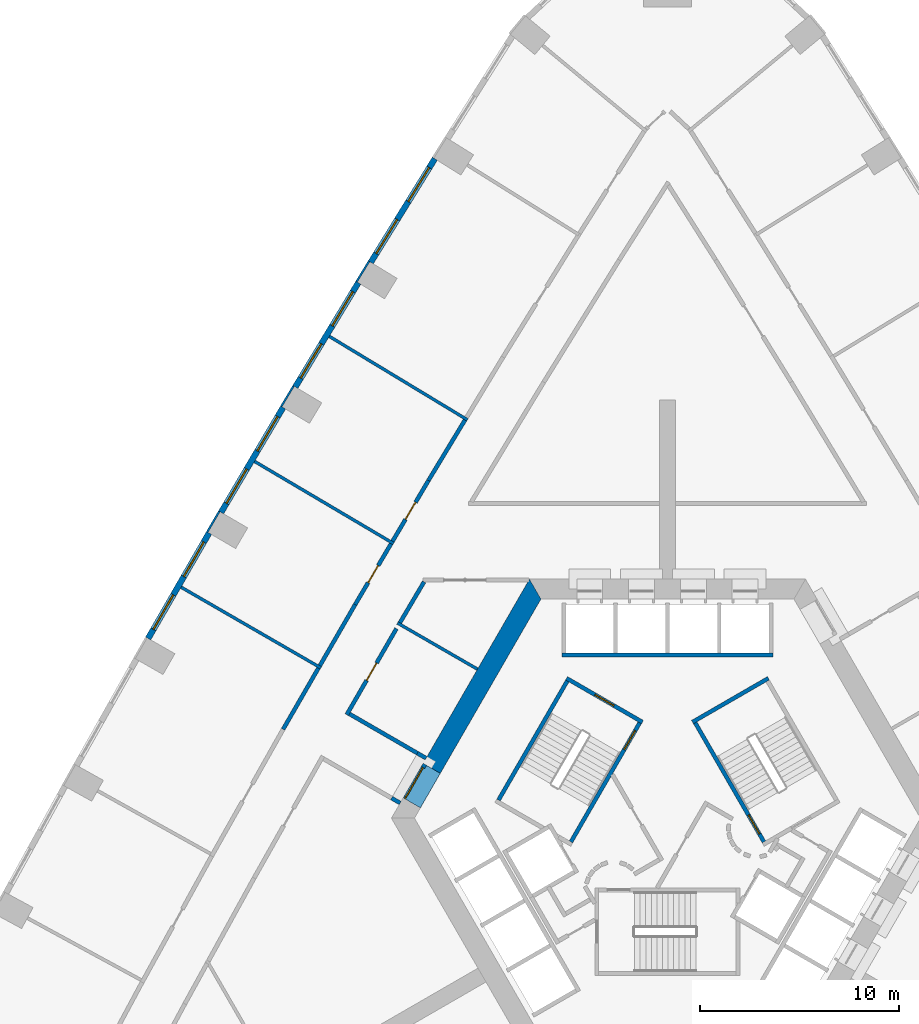
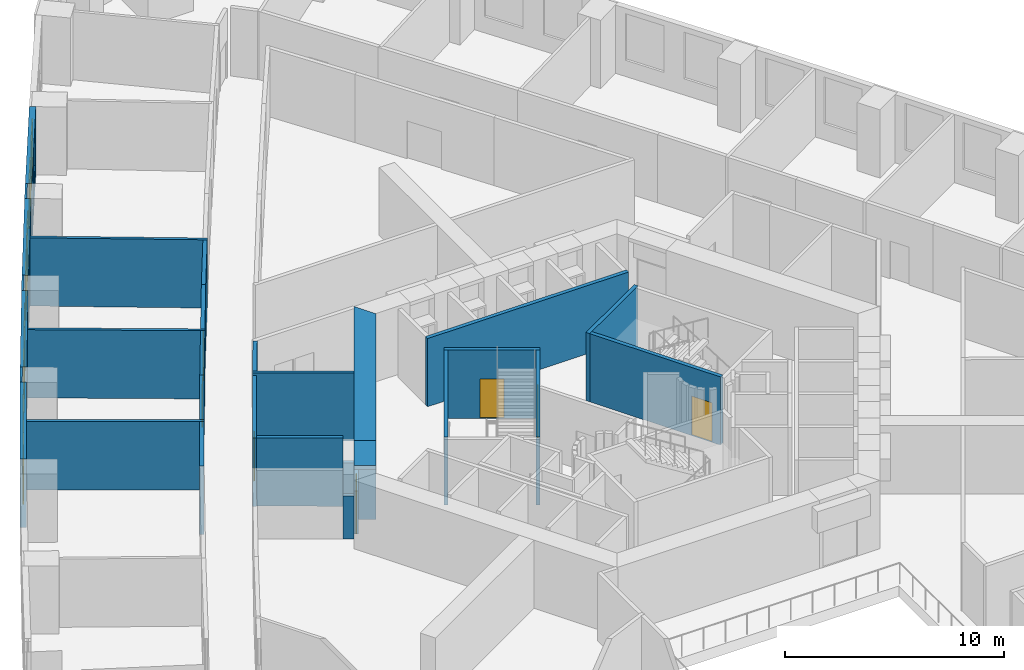
# One storey, part 8 of 15: 30 walls, 8 windows, 7 doors, 15 openings.
"""IFC4 building model written with IfcOpenShell, lengths in metres."""

from ifc_helpers import new_model, si_unit, direction, frame, frame_2d, origin, place, context, subcontext, project, spatial, polyline, rectangle, outline, extrude, material, layer, layer_set, type_object, element, fill, save


model = new_model("IFC4")

# Units and contexts
model_context = context("Model", 3, precision=1e-05, world=origin(), true_north=direction((0.0, 1.0)))
body_context = subcontext(model_context, "Body", "Model", "MODEL_VIEW")
ifc_project = project(units=[si_unit("LENGTHUNIT", "METRE"), si_unit("AREAUNIT", "SQUARE_METRE"), si_unit("VOLUMEUNIT", "CUBIC_METRE"), si_unit("PLANEANGLEUNIT", "RADIAN"), si_unit("MASSUNIT", "GRAM", prefix="KILO")], contexts=[model_context])

# Site, building, storey
site_placement = place(None, origin())
site = spatial("IfcSite", under=ifc_project, at=site_placement, CompositionType="ELEMENT")
building_placement = place(site_placement, origin())
building = spatial("IfcBuilding", under=site, at=building_placement, Name="Entoto Arch Interchange Tower", CompositionType="ELEMENT")
storey_placement = place(building_placement, frame((0.0, 0.0, 35.0)))
storey = spatial("IfcBuildingStorey", under=building, at=storey_placement, Name="L06", CompositionType="ELEMENT", Elevation=35.0)

# Wall, opening, door
ifc_material_1 = material(Name="Reinforced concrete C40/50", Category="concrete")
ifc_layer_1 = layer(ifc_material_1, 0.199951171875)
ifc_layer_set_1 = layer_set([ifc_layer_1], Name="Reinforced concrete C40/50")
wall_type_1 = type_object("IfcWallType", Name="CORE GAP INFILL WALL", PredefinedType="PARTITIONING", material=ifc_layer_set_1)
wall_1_placement = place(storey_placement, frame((-12.179931640625, 5.201904296875, 0.0), z_axis=(0.0, 0.0, 1.0), x_axis=(-0.50002537861, -0.866010750942, 0.0)))
wall_1 = element("IfcWall", 1, at=wall_1_placement, inside=storey, type_object=wall_type_1, Name="wall:L06:gap3", PredefinedType="PARTITIONING", context=body_context, shape_type="SweptSolid", body=[
    extrude(rectangle(XDim=2.0, YDim=0.199951171875, at=frame_2d((1.0, 0.0))), origin(), (0.0, 0.0, 1.0), 2.39990234375),
])
opening_1_placement = place(wall_1_placement, frame((0.18994140625, 0.0, 0.0)))
opening_1 = element("IfcOpeningElement", 2, at=opening_1_placement, cuts=wall_1, Name="Opening L06-D93", PredefinedType="OPENING", context=body_context, shape_type="SweptSolid", body=[
    extrude(rectangle(XDim=1.800048828125, YDim=2.10009765625, at=frame_2d((0.89990234375, 1.050048828125))), frame((0.0, 0.10986328125, 0.0), z_axis=(0.0, -1.0, 0.0), x_axis=(1.0, 0.0, 0.0)), (0.0, 0.0, 1.0), 0.219970703125),
])
ifc_material_2 = material(Name="Fire-rated Steel S235 door and frame", Category="steel")
door_type_1 = type_object("IfcDoorType", Name="DOOR FD-18 1800x2100", OperationType="DOUBLE_DOOR_SINGLE_SWING", PredefinedType="DOOR", material=ifc_material_2)
door_1_placement = place(opening_1_placement, origin())
door_1 = element("IfcDoor", 3, at=door_1_placement, inside=storey, type_object=door_type_1, Name="door:L06:gap3", OperationType="DOUBLE_DOOR_SINGLE_SWING", OverallHeight=2.10009765625, OverallWidth=1.800048828125, PredefinedType="DOOR", context=body_context, shape_type="SweptSolid", body=[
    extrude(rectangle(XDim=1.800048828125, YDim=2.10009765625, at=frame_2d((0.89990234375, 1.050048828125))), frame((0.0, 0.02490234375, 0.0), z_axis=(0.0, -1.0, 0.0), x_axis=(1.0, 0.0, 0.0)), (0.0, 0.0, 1.0), 0.050048828125),
])
fill(opening_1, door_1)

# Walls
ifc_material_3 = material(Name="Concrete C60/75", Category="concrete")
ifc_layer_2 = layer(ifc_material_3, 1.0)
ifc_layer_set_2 = layer_set([ifc_layer_2], Name="Concrete C60/75")
wall_type_2 = type_object("IfcWallType", Name="Core wall 1000 C60/75", PredefinedType="SHEAR", material=ifc_layer_set_2)
wall_2_placement = place(storey_placement, frame((0.0, 0.0, -0.60009765625)))
element("IfcWall", 4, at=wall_2_placement, inside=storey, type_object=wall_type_2, Name="Core wall NW L06", PredefinedType="SHEAR", context=body_context, shape_type="SweptSolid", body=[
    extrude(outline(polyline([(-12.26708984375, 5.251953125), (-11.402099609375, 4.751953125), (-6.35107421875, 13.5), (-6.927978515625, 14.5), (-12.26708984375, 5.251953125)])), origin(), (0.0, 0.0, 1.0), 4.400146484375),
])
wall_3_placement = place(storey_placement, frame((0.0, 0.0, 3.60009765625)))
element("IfcWall", 5, at=wall_3_placement, inside=storey, type_object=wall_type_2, Name="Core wall lintel NW L06", PredefinedType="SHEAR", context=body_context, shape_type="SweptSolid", body=[
    extrude(outline(polyline([(-13.26708984375, 3.52001953125), (-12.402099609375, 3.02001953125), (-11.402099609375, 4.751953125), (-12.26708984375, 5.251953125), (-13.26708984375, 3.52001953125)])), origin(), (0.0, 0.0, 1.0), 0.199951171875),
])
ifc_material_4 = material(Name="Concrete C40/50", Category="concrete")
ifc_layer_3 = layer(ifc_material_4, 0.199951171875)
ifc_layer_set_3 = layer_set([ifc_layer_3], Name="Concrete C40/50")
wall_type_3 = type_object("IfcWallType", Name="LIFT SHAFT WALL 200", PredefinedType="STANDARD", material=ifc_layer_set_3)
wall_4_placement = place(storey_placement, frame((5.300048828125, 10.699951171875, 0.0), z_axis=(0.0, 0.0, 1.0), x_axis=(-1.0, 0.0, 0.0)))
element("IfcWall", 6, at=wall_4_placement, inside=storey, type_object=wall_type_3, Name="Shaft wall N3 front", PredefinedType="STANDARD", context=body_context, shape_type="SweptSolid", body=[
    extrude(rectangle(XDim=10.60009765625, YDim=0.199951171875, at=frame_2d((5.300048828125, 0.0))), origin(), (0.0, 0.0, 1.0), 3.800048828125),
])
ifc_material_5 = material(Name="Gypsum board partition on steel studs", Category="steel")
ifc_layer_4 = layer(ifc_material_5, 0.14990234375)
ifc_layer_set_4 = layer_set([ifc_layer_4], Name="Gypsum board partition on steel studs")
wall_type_4 = type_object("IfcWallType", Name="PARTITION 150", PredefinedType="PARTITIONING", material=ifc_layer_set_4)
wall_5_placement = place(storey_placement, frame((-13.553955078125, 12.300048828125, 0.0), z_axis=(0.0, 0.0, 1.0), x_axis=(0.866028685375, -0.499994316075, 0.0)))
element("IfcWall", 7, at=wall_5_placement, inside=storey, type_object=wall_type_4, Name="wall:L06:p084", PredefinedType="PARTITIONING", context=body_context, shape_type="SweptSolid", body=[
    extrude(rectangle(XDim=4.63818359375, YDim=0.14990234375, at=frame_2d((2.319091796875, 0.0))), origin(), (0.0, 0.0, 1.0), 3.800048828125),
])
wall_6_placement = place(storey_placement, frame((-10.0419921875, 22.4970703125, 0.0), z_axis=(0.0, 0.0, 1.0), x_axis=(-0.855818252, 0.517276637346, 0.0)))
element("IfcWall", 8, at=wall_6_placement, inside=storey, type_object=wall_type_4, Name="wall:L06:p138", PredefinedType="PARTITIONING", context=body_context, shape_type="SweptSolid", body=[
    extrude(rectangle(XDim=8.10009765625, YDim=0.14990234375, at=frame_2d((4.050048828125, 0.0))), origin(), (0.0, 0.0, 1.0), 3.800048828125),
])
wall_7_placement = place(storey_placement, frame((-13.751953125, 16.2890625, 0.0), z_axis=(0.0, 0.0, 1.0), x_axis=(-0.86093852802, 0.508709004216, 0.0)))
element("IfcWall", 9, at=wall_7_placement, inside=storey, type_object=wall_type_4, Name="wall:L06:p139", PredefinedType="PARTITIONING", context=body_context, shape_type="SweptSolid", body=[
    extrude(rectangle(XDim=8.1005859375, YDim=0.14990234375, at=frame_2d((4.05029296875, 0.0))), origin(), (0.0, 0.0, 1.0), 3.800048828125),
])
wall_8_placement = place(storey_placement, frame((-17.39892578125, 10.044921875, 0.0), z_axis=(0.0, 0.0, 1.0), x_axis=(-0.865980803489, 0.500077242023, 0.0)))
element("IfcWall", 10, at=wall_8_placement, inside=storey, type_object=wall_type_4, Name="wall:L06:p140", PredefinedType="PARTITIONING", context=body_context, shape_type="SweptSolid", body=[
    extrude(rectangle(XDim=8.100830078125, YDim=0.14990234375, at=frame_2d((4.05029296875, 0.0))), origin(), (0.0, 0.0, 1.0), 3.800048828125),
])

# Wall, opening, door
ifc_layer_5 = layer(ifc_material_5, 0.199951171875)
ifc_layer_set_5 = layer_set([ifc_layer_5], Name="Gypsum board partition on steel studs")
wall_type_5 = type_object("IfcWallType", Name="PARTITION 200", PredefinedType="PARTITIONING", material=ifc_layer_set_5)
wall_9_placement = place(storey_placement, frame((-13.60595703125, 12.01611328125, 0.0), z_axis=(0.0, 0.0, 1.0), x_axis=(-0.499992180995, -0.866029918042, 0.0)))
wall_9 = element("IfcWall", 11, at=wall_9_placement, inside=storey, type_object=wall_type_5, Name="wall:L06:p001", PredefinedType="PARTITIONING", context=body_context, shape_type="SweptSolid", body=[
    extrude(rectangle(XDim=4.98828125, YDim=0.199951171875, at=frame_2d((2.494140625, 0.0))), origin(), (0.0, 0.0, 1.0), 3.800048828125),
])
opening_2_placement = place(wall_9_placement, frame((1.993896484375, 0.0, 0.0)))
opening_2 = element("IfcOpeningElement", 12, at=opening_2_placement, cuts=wall_9, Name="Opening L06-D34", PredefinedType="OPENING", context=body_context, shape_type="SweptSolid", body=[
    extrude(rectangle(XDim=1.0, YDim=2.10009765625, at=frame_2d((0.5, 1.050048828125))), frame((0.0, 0.10986328125, 0.0), z_axis=(0.0, -1.0, 0.0), x_axis=(1.0, 0.0, 0.0)), (0.0, 0.0, 1.0), 0.219970703125),
])
ifc_material_6 = material(Name="Timber door leaf in Steel S235 frame", Category="steel")
door_type_2 = type_object("IfcDoorType", Name="DOOR DS-10 1000x2100", OperationType="SINGLE_SWING_LEFT", PredefinedType="DOOR", material=ifc_material_6)
door_2_placement = place(opening_2_placement, origin())
door_2 = element("IfcDoor", 13, at=door_2_placement, inside=storey, type_object=door_type_2, Name="door:L06:34", OperationType="SINGLE_SWING_LEFT", OverallHeight=2.10009765625, OverallWidth=1.0, PredefinedType="DOOR", context=body_context, shape_type="SweptSolid", body=[
    extrude(rectangle(XDim=1.0, YDim=2.10009765625, at=frame_2d((0.5, 1.050048828125))), frame((0.0, 0.02490234375, 0.0), z_axis=(0.0, -1.0, 0.0), x_axis=(1.0, 0.0, 0.0)), (0.0, 0.0, 1.0), 0.050048828125),
])
fill(opening_2, door_2)

# Walls
wall_10_placement = place(storey_placement, frame((-15.962890625, 7.73291015625, 0.0), z_axis=(0.0, 0.0, 1.0), x_axis=(0.865965832374, -0.500103166518, 0.0)))
element("IfcWall", 14, at=wall_10_placement, inside=storey, type_object=wall_type_5, Name="wall:L06:p002", PredefinedType="PARTITIONING", context=body_context, shape_type="SweptSolid", body=[
    extrude(rectangle(XDim=3.941162109375, YDim=0.199951171875, at=frame_2d((1.970703125, 0.0))), origin(), (0.0, 0.0, 1.0), 3.800048828125),
])
wall_11_placement = place(storey_placement, frame((-12.218017578125, 14.364013671875, 0.0), z_axis=(0.0, 0.0, 1.0), x_axis=(-0.508767325294, -0.860904064756, 0.0)))
element("IfcWall", 15, at=wall_11_placement, inside=storey, type_object=wall_type_5, Name="wall:L06:p003", PredefinedType="PARTITIONING", context=body_context, shape_type="SweptSolid", body=[
    extrude(rectangle(XDim=2.380126953125, YDim=0.199951171875, at=frame_2d((1.18994140625, 0.0))), origin(), (0.0, 0.0, 1.0), 3.800048828125),
])

# Wall, opening, door
wall_12_placement = place(storey_placement, frame((-13.800048828125, 16.404052734375, 0.0), z_axis=(0.0, 0.0, 1.0), x_axis=(0.508666621784, 0.860963569428, 0.0)))
wall_12 = element("IfcWall", 16, at=wall_12_placement, inside=storey, type_object=wall_type_5, Name="wall:L06:p058", PredefinedType="PARTITIONING", context=body_context, shape_type="SweptSolid", body=[
    extrude(rectangle(XDim=3.54248046875, YDim=0.199951171875, at=frame_2d((1.771240234375, 0.0))), origin(), (0.0, 0.0, 1.0), 3.800048828125),
])
opening_3_placement = place(wall_12_placement, frame((1.27099609375, 0.0, 0.0)))
opening_3 = element("IfcOpeningElement", 17, at=opening_3_placement, cuts=wall_12, Name="Opening L06-D14", PredefinedType="OPENING", context=body_context, shape_type="SweptSolid", body=[
    extrude(rectangle(XDim=1.0, YDim=2.10009765625, at=frame_2d((0.5, 1.050048828125))), frame((0.0, 0.10986328125, 0.0), z_axis=(0.0, -1.0, 0.0), x_axis=(1.0, 0.0, 0.0)), (0.0, 0.0, 1.0), 0.219970703125),
])
door_3_placement = place(opening_3_placement, origin())
door_3 = element("IfcDoor", 18, at=door_3_placement, inside=storey, type_object=door_type_2, Name="door:L06:14", OperationType="SINGLE_SWING_LEFT", OverallHeight=2.10009765625, OverallWidth=1.0, PredefinedType="DOOR", context=body_context, shape_type="SweptSolid", body=[
    extrude(rectangle(XDim=1.0, YDim=2.10009765625, at=frame_2d((0.5, 1.050048828125))), frame((0.0, 0.02490234375, 0.0), z_axis=(0.0, -1.0, 0.0), x_axis=(1.0, 0.0, 0.0)), (0.0, 0.0, 1.0), 0.050048828125),
])
fill(opening_3, door_3)

# Walls
wall_13_placement = place(storey_placement, frame((-11.998046875, 19.4541015625, 0.0), z_axis=(0.0, 0.0, 1.0), x_axis=(0.51707881094, 0.85593779171, 0.0)))
element("IfcWall", 19, at=wall_13_placement, inside=storey, type_object=wall_type_5, Name="wall:L06:p059", PredefinedType="PARTITIONING", context=body_context, shape_type="SweptSolid", body=[
    extrude(rectangle(XDim=3.541259765625, YDim=0.199951171875, at=frame_2d((1.7705078125, 0.0))), origin(), (0.0, 0.0, 1.0), 3.800048828125),
])
wall_14_placement = place(storey_placement, frame((-17.447998046875, 10.159912109375, 0.0), z_axis=(0.0, 0.0, 1.0), x_axis=(0.499951278228, 0.866053531485, 0.0)))
element("IfcWall", 20, at=wall_14_placement, inside=storey, type_object=wall_type_5, Name="wall:L06:p060", PredefinedType="PARTITIONING", context=body_context, shape_type="SweptSolid", body=[
    extrude(rectangle(XDim=3.540283203125, YDim=0.199951171875, at=frame_2d((1.77001953125, 0.0))), origin(), (0.0, 0.0, 1.0), 3.800048828125),
])

# Wall, opening, door
wall_15_placement = place(storey_placement, frame((-15.677978515625, 13.22607421875, 0.0), z_axis=(0.0, 0.0, 1.0), x_axis=(0.508613166028, 0.860995149431, 0.0)))
wall_15 = element("IfcWall", 21, at=wall_15_placement, inside=storey, type_object=wall_type_5, Name="wall:L06:p061", PredefinedType="PARTITIONING", context=body_context, shape_type="SweptSolid", body=[
    extrude(rectangle(XDim=3.541015625, YDim=0.199951171875, at=frame_2d((1.7705078125, 0.0))), origin(), (0.0, 0.0, 1.0), 3.800048828125),
])
opening_4_placement = place(wall_15_placement, frame((1.27099609375, 0.0, 0.0)))
opening_4 = element("IfcOpeningElement", 22, at=opening_4_placement, cuts=wall_15, Name="Opening L06-D15", PredefinedType="OPENING", context=body_context, shape_type="SweptSolid", body=[
    extrude(rectangle(XDim=1.0, YDim=2.10009765625, at=frame_2d((0.5, 1.050048828125))), frame((0.0, 0.10986328125, 0.0), z_axis=(0.0, -1.0, 0.0), x_axis=(1.0, 0.0, 0.0)), (0.0, 0.0, 1.0), 0.219970703125),
])
door_4_placement = place(opening_4_placement, origin())
door_4 = element("IfcDoor", 23, at=door_4_placement, inside=storey, type_object=door_type_2, Name="door:L06:15", OperationType="SINGLE_SWING_LEFT", OverallHeight=2.10009765625, OverallWidth=1.0, PredefinedType="DOOR", context=body_context, shape_type="SweptSolid", body=[
    extrude(rectangle(XDim=1.0, YDim=2.10009765625, at=frame_2d((0.5, 1.050048828125))), frame((0.0, 0.02490234375, 0.0), z_axis=(0.0, -1.0, 0.0), x_axis=(1.0, 0.0, 0.0)), (0.0, 0.0, 1.0), 0.050048828125),
])
fill(opening_4, door_4)

# Walls
wall_16_placement = place(storey_placement, frame((-19.2939453125, 6.964111328125, 0.0), z_axis=(0.0, 0.0, 1.0), x_axis=(0.499861717316, 0.86610522661, 0.0)))
element("IfcWall", 24, at=wall_16_placement, inside=storey, type_object=wall_type_5, Name="wall:L06:p063", PredefinedType="PARTITIONING", context=body_context, shape_type="SweptSolid", body=[
    extrude(rectangle(XDim=3.541015625, YDim=0.199951171875, at=frame_2d((1.7705078125, 0.0))), origin(), (0.0, 0.0, 1.0), 3.800048828125),
])
for number, where, z_axis, x_axis, name in (
    (25, (-12.550048828125, 5.761962890625, 0.0), (0.0, 0.0, 1.0), (0.866071776036, -0.499919672301, 0.0), "wall:L06:p002"),
    (26, (-13.85009765625, 3.510009765625, 0.0), (0.0, 0.0, 1.0), (0.866071776036, -0.499919672301, 0.0), "wall:L06:p025"),
):
    element("IfcWall", number, at=place(storey_placement, frame(where, z_axis=z_axis, x_axis=x_axis)), inside=storey, type_object=wall_type_5, Name=name, PredefinedType="PARTITIONING", context=body_context, shape_type="SweptSolid", body=[
        extrude(rectangle(XDim=0.5, YDim=0.199951171875, at=frame_2d((0.25, 0.0))), origin(), (0.0, 0.0, 1.0), 2.39990234375),
    ])
ifc_layer_6 = layer(ifc_material_4, 0.199951171875)
ifc_layer_set_6 = layer_set([ifc_layer_6], Name="Concrete C40/50")
wall_type_6 = type_object("IfcWallType", Name="STAIR ENCLOSURE WALL 200", PredefinedType="STANDARD", material=ifc_layer_set_6)
wall_17_placement = place(storey_placement, frame((1.256103515625, 7.323974609375, 0.0), z_axis=(0.0, 0.0, 1.0), x_axis=(0.866046073146, 0.499964197906, 0.0)))
element("IfcWall", 27, at=wall_17_placement, inside=storey, type_object=wall_type_6, Name="Stair wall ST-NE far", PredefinedType="STANDARD", context=body_context, shape_type="SweptSolid", body=[
    extrude(rectangle(XDim=4.400146484375, YDim=0.199951171875, at=frame_2d((2.2001953125, 0.0))), origin(), (0.0, 0.0, 1.0), 3.800048828125),
])

# Wall, opening, door
wall_18_placement = place(storey_placement, frame((4.843017578125, 1.31201171875, 0.0), z_axis=(0.0, 0.0, 1.0), x_axis=(-0.499963383562, 0.866046543262, 0.0)))
wall_18 = element("IfcWall", 28, at=wall_18_placement, inside=storey, type_object=wall_type_6, Name="Stair wall ST-NE hall", PredefinedType="STANDARD", context=body_context, shape_type="SweptSolid", body=[
    extrude(rectangle(XDim=6.900390625, YDim=0.199951171875, at=frame_2d((3.4501953125, 0.0))), origin(), (0.0, 0.0, 1.0), 3.800048828125),
])
opening_5_placement = place(wall_18_placement, frame((0.449951171875, 0.0, 0.0)))
opening_5 = element("IfcOpeningElement", 29, at=opening_5_placement, cuts=wall_18, Name="Opening SD-ST-NE-L06", PredefinedType="OPENING", context=body_context, shape_type="SweptSolid", body=[
    extrude(rectangle(XDim=1.10009765625, YDim=2.199951171875, at=frame_2d((0.550048828125, 1.10009765625))), frame((0.0, 0.10986328125, 0.0), z_axis=(0.0, -1.0, 0.0), x_axis=(1.0, 0.0, 0.0)), (0.0, 0.0, 1.0), 0.219970703125),
])
ifc_material_7 = material(Name="Steel S235", Category="steel")
door_type_3 = type_object("IfcDoorType", Name="STAIR DOOR SD1 1100x2200", OperationType="SINGLE_SWING_LEFT", PredefinedType="DOOR", material=ifc_material_7)
door_5_placement = place(opening_5_placement, origin())
door_5 = element("IfcDoor", 30, at=door_5_placement, inside=storey, type_object=door_type_3, Name="Stair door ST-NE L06", OperationType="SINGLE_SWING_LEFT", OverallHeight=2.199951171875, OverallWidth=1.10009765625, PredefinedType="DOOR", context=body_context, shape_type="SweptSolid", body=[
    extrude(rectangle(XDim=1.10009765625, YDim=2.199951171875, at=frame_2d((0.550048828125, 1.10009765625))), frame((0.0, 0.02490234375, 0.0), z_axis=(0.0, -1.0, 0.0), x_axis=(1.0, 0.0, 0.0)), (0.0, 0.0, 1.0), 0.050048828125),
])
fill(opening_5, door_5)

wall_19_placement = place(storey_placement, frame((-1.256103515625, 7.323974609375, 0.0), z_axis=(0.0, 0.0, 1.0), x_axis=(-0.866046073146, 0.499964197906, 0.0)))
wall_19 = element("IfcWall", 31, at=wall_19_placement, inside=storey, type_object=wall_type_6, Name="Stair wall ST-NW near", PredefinedType="STANDARD", context=body_context, shape_type="SweptSolid", body=[
    extrude(rectangle(XDim=4.400146484375, YDim=0.199951171875, at=frame_2d((2.2001953125, 0.0))), origin(), (0.0, 0.0, 1.0), 3.800048828125),
])
opening_6_placement = place(wall_19_placement, frame((1.64990234375, 0.0, 0.0)))
opening_6 = element("IfcOpeningElement", 32, at=opening_6_placement, cuts=wall_19, Name="Opening SD-ST-NW-L06-E", PredefinedType="OPENING", context=body_context, shape_type="SweptSolid", body=[
    extrude(rectangle(XDim=1.10009765625, YDim=2.199951171875, at=frame_2d((0.550048828125, 1.10009765625))), frame((0.0, 0.10986328125, 0.0), z_axis=(0.0, -1.0, 0.0), x_axis=(1.0, 0.0, 0.0)), (0.0, 0.0, 1.0), 0.219970703125),
])
door_6_placement = place(opening_6_placement, origin())
door_6 = element("IfcDoor", 33, at=door_6_placement, inside=storey, type_object=door_type_3, Name="Stair door ST-NW L06 end", OperationType="SINGLE_SWING_LEFT", OverallHeight=2.199951171875, OverallWidth=1.10009765625, PredefinedType="DOOR", context=body_context, shape_type="SweptSolid", body=[
    extrude(rectangle(XDim=1.10009765625, YDim=2.199951171875, at=frame_2d((0.550048828125, 1.10009765625))), frame((0.0, 0.02490234375, 0.0), z_axis=(0.0, -1.0, 0.0), x_axis=(1.0, 0.0, 0.0)), (0.0, 0.0, 1.0), 0.050048828125),
])
fill(opening_6, door_6)

wall_20_placement = place(storey_placement, frame((-1.39306640625, 7.2880859375, 0.0), z_axis=(0.0, 0.0, 1.0), x_axis=(-0.499963383562, -0.866046543262, 0.0)))
wall_20 = element("IfcWall", 34, at=wall_20_placement, inside=storey, type_object=wall_type_6, Name="Stair wall ST-NW hall", PredefinedType="STANDARD", context=body_context, shape_type="SweptSolid", body=[
    extrude(rectangle(XDim=6.900390625, YDim=0.199951171875, at=frame_2d((3.4501953125, 0.0))), origin(), (0.0, 0.0, 1.0), 3.800048828125),
])
opening_7_placement = place(wall_20_placement, frame((0.449951171875, 0.0, 0.0)))
opening_7 = element("IfcOpeningElement", 35, at=opening_7_placement, cuts=wall_20, Name="Opening SD-ST-NW-L06", PredefinedType="OPENING", context=body_context, shape_type="SweptSolid", body=[
    extrude(rectangle(XDim=1.10009765625, YDim=2.199951171875, at=frame_2d((0.550048828125, 1.10009765625))), frame((0.0, 0.10986328125, 0.0), z_axis=(0.0, -1.0, 0.0), x_axis=(1.0, 0.0, 0.0)), (0.0, 0.0, 1.0), 0.219970703125),
])
door_7_placement = place(opening_7_placement, origin())
door_7 = element("IfcDoor", 36, at=door_7_placement, inside=storey, type_object=door_type_3, Name="Stair door ST-NW L06", OperationType="SINGLE_SWING_LEFT", OverallHeight=2.199951171875, OverallWidth=1.10009765625, PredefinedType="DOOR", context=body_context, shape_type="SweptSolid", body=[
    extrude(rectangle(XDim=1.10009765625, YDim=2.199951171875, at=frame_2d((0.550048828125, 1.10009765625))), frame((0.0, 0.02490234375, 0.0), z_axis=(0.0, -1.0, 0.0), x_axis=(1.0, 0.0, 0.0)), (0.0, 0.0, 1.0), 0.050048828125),
])
fill(opening_7, door_7)

# Wall
wall_21_placement = place(storey_placement, frame((-5.030029296875, 9.387939453125, 0.0), z_axis=(0.0, 0.0, 1.0), x_axis=(-0.499978703459, -0.866037698999, 0.0)))
element("IfcWall", 37, at=wall_21_placement, inside=storey, type_object=wall_type_6, Name="Stair wall ST-NW back", PredefinedType="STANDARD", context=body_context, shape_type="SweptSolid", body=[
    extrude(rectangle(XDim=6.900146484375, YDim=0.199951171875, at=frame_2d((3.4501953125, 0.0))), origin(), (0.0, 0.0, 1.0), 3.800048828125),
])

# Wall, openings, windows
ifc_material_8 = material(Name="Welded tuff (ignimbrite) cladding, warm buff", Category="masonry")
ifc_layer_7 = layer(ifc_material_8, 0.300048828125)
ifc_layer_set_7 = layer_set([ifc_layer_7], Name="Welded tuff (ignimbrite) cladding, warm buff")
wall_type_7 = type_object("IfcWallType", Name="STONE INFILL WALL 300", PredefinedType="STANDARD", material=ifc_layer_set_7)
wall_22_placement = place(storey_placement, frame((-11.679931640625, 35.60693359375, 0.0), z_axis=(0.0, 0.0, 1.0), x_axis=(-0.525791118496, -0.850613719447, 0.0)))
wall_22 = element("IfcWall", 38, at=wall_22_placement, inside=storey, type_object=wall_type_7, Name="Facade wall NW-02 L06", PredefinedType="STANDARD", context=body_context, shape_type="SweptSolid", body=[
    extrude(rectangle(XDim=6.11669921875, YDim=0.300048828125, at=frame_2d((3.058349609375, 0.0))), origin(), (0.0, 0.0, 1.0), 3.800048828125),
])
opening_8_placement = place(wall_22_placement, frame((0.529052734375, 0.0, 0.89990234375)))
opening_8 = element("IfcOpeningElement", 39, at=opening_8_placement, cuts=wall_22, Name="Opening WO-C", PredefinedType="OPENING", context=body_context, shape_type="SweptSolid", body=[
    extrude(rectangle(XDim=2.0, YDim=2.60009765625, at=frame_2d((1.0, 1.300048828125))), frame((0.0, 0.16015625, 0.0), z_axis=(0.0, -1.0, 0.0), x_axis=(1.0, 0.0, 0.0)), (0.0, 0.0, 1.0), 0.320068359375),
])
opening_9_placement = place(wall_22_placement, frame((3.587890625, 0.0, 0.89990234375)))
opening_9 = element("IfcOpeningElement", 40, at=opening_9_placement, cuts=wall_22, Name="Opening WO-C", PredefinedType="OPENING", context=body_context, shape_type="SweptSolid", body=[
    extrude(rectangle(XDim=2.0, YDim=2.60009765625, at=frame_2d((1.0, 1.300048828125))), frame((0.0, 0.16015625, 0.0), z_axis=(0.0, -1.0, 0.0), x_axis=(1.0, 0.0, 0.0)), (0.0, 0.0, 1.0), 0.320068359375),
])
ifc_material_9 = material(Name="Clear glass, low-e double glazed", Category="glass")
window_type = type_object("IfcWindowType", Name="WINDOW WO-C 2000x2600", PartitioningType="DOUBLE_PANEL_VERTICAL", PredefinedType="WINDOW", material=ifc_material_9)
window_1_placement = place(opening_8_placement, origin())
window_1 = element("IfcWindow", 41, at=window_1_placement, inside=storey, type_object=window_type, Name="Window WO-C NW-02 L06", OverallHeight=2.60009765625, OverallWidth=2.0, PartitioningType="SINGLE_PANEL", PredefinedType="WINDOW", context=body_context, shape_type="SweptSolid", body=[
    extrude(rectangle(XDim=2.0, YDim=2.60009765625, at=frame_2d((1.0, 1.300048828125))), frame((0.0, 0.030029296875, 0.0), z_axis=(0.0, -1.0, 0.0), x_axis=(1.0, 0.0, 0.0)), (0.0, 0.0, 1.0), 0.06005859375),
])
fill(opening_8, window_1)
window_2_placement = place(opening_9_placement, origin())
window_2 = element("IfcWindow", 42, at=window_2_placement, inside=storey, type_object=window_type, Name="Window WO-C NW-02 L06", OverallHeight=2.60009765625, OverallWidth=2.0, PartitioningType="SINGLE_PANEL", PredefinedType="WINDOW", context=body_context, shape_type="SweptSolid", body=[
    extrude(rectangle(XDim=2.0, YDim=2.60009765625, at=frame_2d((1.0, 1.300048828125))), frame((0.0, 0.030029296875, 0.0), z_axis=(0.0, -1.0, 0.0), x_axis=(1.0, 0.0, 0.0)), (0.0, 0.0, 1.0), 0.06005859375),
])
fill(opening_9, window_2)

wall_23_placement = place(storey_placement, frame((-15.52099609375, 29.382080078125, 0.0), z_axis=(0.0, 0.0, 1.0), x_axis=(-0.517211293816, -0.855857743757, 0.0)))
wall_23 = element("IfcWall", 43, at=wall_23_placement, inside=storey, type_object=wall_type_7, Name="Facade wall NW-03 L06", PredefinedType="STANDARD", context=body_context, shape_type="SweptSolid", body=[
    extrude(rectangle(XDim=6.11572265625, YDim=0.300048828125, at=frame_2d((3.057861328125, 0.0))), origin(), (0.0, 0.0, 1.0), 3.800048828125),
])
opening_10_placement = place(wall_23_placement, frame((0.529052734375, 0.0, 0.89990234375)))
opening_10 = element("IfcOpeningElement", 44, at=opening_10_placement, cuts=wall_23, Name="Opening WO-C", PredefinedType="OPENING", context=body_context, shape_type="SweptSolid", body=[
    extrude(rectangle(XDim=2.0, YDim=2.60009765625, at=frame_2d((1.0, 1.300048828125))), frame((0.0, 0.16015625, 0.0), z_axis=(0.0, -1.0, 0.0), x_axis=(1.0, 0.0, 0.0)), (0.0, 0.0, 1.0), 0.320068359375),
])
opening_11_placement = place(wall_23_placement, frame((3.5869140625, 0.0, 0.89990234375)))
opening_11 = element("IfcOpeningElement", 45, at=opening_11_placement, cuts=wall_23, Name="Opening WO-C", PredefinedType="OPENING", context=body_context, shape_type="SweptSolid", body=[
    extrude(rectangle(XDim=2.0, YDim=2.60009765625, at=frame_2d((1.0, 1.300048828125))), frame((0.0, 0.16015625, 0.0), z_axis=(0.0, -1.0, 0.0), x_axis=(1.0, 0.0, 0.0)), (0.0, 0.0, 1.0), 0.320068359375),
])
window_3_placement = place(opening_10_placement, origin())
window_3 = element("IfcWindow", 46, at=window_3_placement, inside=storey, type_object=window_type, Name="Window WO-C NW-03 L06", OverallHeight=2.60009765625, OverallWidth=2.0, PartitioningType="SINGLE_PANEL", PredefinedType="WINDOW", context=body_context, shape_type="SweptSolid", body=[
    extrude(rectangle(XDim=2.0, YDim=2.60009765625, at=frame_2d((1.0, 1.300048828125))), frame((0.0, 0.030029296875, 0.0), z_axis=(0.0, -1.0, 0.0), x_axis=(1.0, 0.0, 0.0)), (0.0, 0.0, 1.0), 0.06005859375),
])
fill(opening_10, window_3)
window_4_placement = place(opening_11_placement, origin())
window_4 = element("IfcWindow", 47, at=window_4_placement, inside=storey, type_object=window_type, Name="Window WO-C NW-03 L06", OverallHeight=2.60009765625, OverallWidth=2.0, PartitioningType="SINGLE_PANEL", PredefinedType="WINDOW", context=body_context, shape_type="SweptSolid", body=[
    extrude(rectangle(XDim=2.0, YDim=2.60009765625, at=frame_2d((1.0, 1.300048828125))), frame((0.0, 0.030029296875, 0.0), z_axis=(0.0, -1.0, 0.0), x_axis=(1.0, 0.0, 0.0)), (0.0, 0.0, 1.0), 0.06005859375),
])
fill(opening_11, window_4)

wall_24_placement = place(storey_placement, frame((-19.299072265625, 23.118896484375, 0.0), z_axis=(0.0, 0.0, 1.0), x_axis=(-0.508749483145, -0.860914608658, 0.0)))
wall_24 = element("IfcWall", 48, at=wall_24_placement, inside=storey, type_object=wall_type_7, Name="Facade wall NW-04 L06", PredefinedType="STANDARD", context=body_context, shape_type="SweptSolid", body=[
    extrude(rectangle(XDim=6.11669921875, YDim=0.300048828125, at=frame_2d((3.058349609375, 0.0))), origin(), (0.0, 0.0, 1.0), 3.800048828125),
])
opening_12_placement = place(wall_24_placement, frame((0.529052734375, 0.0, 0.89990234375)))
opening_12 = element("IfcOpeningElement", 49, at=opening_12_placement, cuts=wall_24, Name="Opening WO-C", PredefinedType="OPENING", context=body_context, shape_type="SweptSolid", body=[
    extrude(rectangle(XDim=2.0, YDim=2.60009765625, at=frame_2d((1.0, 1.300048828125))), frame((0.0, 0.16015625, 0.0), z_axis=(0.0, -1.0, 0.0), x_axis=(1.0, 0.0, 0.0)), (0.0, 0.0, 1.0), 0.320068359375),
])
opening_13_placement = place(wall_24_placement, frame((3.587890625, 0.0, 0.89990234375)))
opening_13 = element("IfcOpeningElement", 50, at=opening_13_placement, cuts=wall_24, Name="Opening WO-C", PredefinedType="OPENING", context=body_context, shape_type="SweptSolid", body=[
    extrude(rectangle(XDim=2.0, YDim=2.60009765625, at=frame_2d((1.0, 1.300048828125))), frame((0.0, 0.16015625, 0.0), z_axis=(0.0, -1.0, 0.0), x_axis=(1.0, 0.0, 0.0)), (0.0, 0.0, 1.0), 0.320068359375),
])
window_5_placement = place(opening_12_placement, origin())
window_5 = element("IfcWindow", 51, at=window_5_placement, inside=storey, type_object=window_type, Name="Window WO-C NW-04 L06", OverallHeight=2.60009765625, OverallWidth=2.0, PartitioningType="SINGLE_PANEL", PredefinedType="WINDOW", context=body_context, shape_type="SweptSolid", body=[
    extrude(rectangle(XDim=2.0, YDim=2.60009765625, at=frame_2d((1.0, 1.300048828125))), frame((0.0, 0.030029296875, 0.0), z_axis=(0.0, -1.0, 0.0), x_axis=(1.0, 0.0, 0.0)), (0.0, 0.0, 1.0), 0.06005859375),
])
fill(opening_12, window_5)
window_6_placement = place(opening_13_placement, origin())
window_6 = element("IfcWindow", 52, at=window_6_placement, inside=storey, type_object=window_type, Name="Window WO-C NW-04 L06", OverallHeight=2.60009765625, OverallWidth=2.0, PartitioningType="SINGLE_PANEL", PredefinedType="WINDOW", context=body_context, shape_type="SweptSolid", body=[
    extrude(rectangle(XDim=2.0, YDim=2.60009765625, at=frame_2d((1.0, 1.300048828125))), frame((0.0, 0.030029296875, 0.0), z_axis=(0.0, -1.0, 0.0), x_axis=(1.0, 0.0, 0.0)), (0.0, 0.0, 1.0), 0.06005859375),
])
fill(opening_13, window_6)

wall_25_placement = place(storey_placement, frame((-23.014892578125, 16.819091796875, 0.0), z_axis=(0.0, 0.0, 1.0), x_axis=(-0.499976985038, -0.866038691071, 0.0)))
wall_25 = element("IfcWall", 53, at=wall_25_placement, inside=storey, type_object=wall_type_7, Name="Facade wall NW-05 L06", PredefinedType="STANDARD", context=body_context, shape_type="SweptSolid", body=[
    extrude(rectangle(XDim=6.116455078125, YDim=0.300048828125, at=frame_2d((3.05810546875, 0.0))), origin(), (0.0, 0.0, 1.0), 3.800048828125),
])
opening_14_placement = place(wall_25_placement, frame((0.529052734375, 0.0, 0.89990234375)))
opening_14 = element("IfcOpeningElement", 54, at=opening_14_placement, cuts=wall_25, Name="Opening WO-C", PredefinedType="OPENING", context=body_context, shape_type="SweptSolid", body=[
    extrude(rectangle(XDim=2.0, YDim=2.60009765625, at=frame_2d((1.0, 1.300048828125))), frame((0.0, 0.16015625, 0.0), z_axis=(0.0, -1.0, 0.0), x_axis=(1.0, 0.0, 0.0)), (0.0, 0.0, 1.0), 0.320068359375),
])
opening_15_placement = place(wall_25_placement, frame((3.5869140625, 0.0, 0.89990234375)))
opening_15 = element("IfcOpeningElement", 55, at=opening_15_placement, cuts=wall_25, Name="Opening WO-C", PredefinedType="OPENING", context=body_context, shape_type="SweptSolid", body=[
    extrude(rectangle(XDim=2.0, YDim=2.60009765625, at=frame_2d((1.0, 1.300048828125))), frame((0.0, 0.16015625, 0.0), z_axis=(0.0, -1.0, 0.0), x_axis=(1.0, 0.0, 0.0)), (0.0, 0.0, 1.0), 0.320068359375),
])
window_7_placement = place(opening_14_placement, origin())
window_7 = element("IfcWindow", 56, at=window_7_placement, inside=storey, type_object=window_type, Name="Window WO-C NW-05 L06", OverallHeight=2.60009765625, OverallWidth=2.0, PartitioningType="SINGLE_PANEL", PredefinedType="WINDOW", context=body_context, shape_type="SweptSolid", body=[
    extrude(rectangle(XDim=2.0, YDim=2.60009765625, at=frame_2d((1.0, 1.300048828125))), frame((0.0, 0.030029296875, 0.0), z_axis=(0.0, -1.0, 0.0), x_axis=(1.0, 0.0, 0.0)), (0.0, 0.0, 1.0), 0.06005859375),
])
fill(opening_14, window_7)
window_8_placement = place(opening_15_placement, origin())
window_8 = element("IfcWindow", 57, at=window_8_placement, inside=storey, type_object=window_type, Name="Window WO-C NW-05 L06", OverallHeight=2.60009765625, OverallWidth=2.0, PartitioningType="SINGLE_PANEL", PredefinedType="WINDOW", context=body_context, shape_type="SweptSolid", body=[
    extrude(rectangle(XDim=2.0, YDim=2.60009765625, at=frame_2d((1.0, 1.300048828125))), frame((0.0, 0.030029296875, 0.0), z_axis=(0.0, -1.0, 0.0), x_axis=(1.0, 0.0, 0.0)), (0.0, 0.0, 1.0), 0.06005859375),
])
fill(opening_15, window_8)

# Walls
ifc_layer_8 = layer(ifc_material_8, 0.10009765625)
ifc_layer_set_8 = layer_set([ifc_layer_8], Name="Welded tuff (ignimbrite) cladding, warm buff")
wall_type_8 = type_object("IfcWallType", Name="STONE PIER CLADDING 100", PredefinedType="STANDARD", material=ifc_layer_set_8)
for number, where, z_axis, x_axis, name in (
    (58, (-14.98291015625, 30.458984375, 0.0), (0.0, 0.0, 1.0), (-0.521598117945, -0.853191305251, 0.0), "Stone pier NW03 L06"),
    (59, (-18.77197265625, 24.200927734375, 0.0), (0.0, 0.0, 1.0), (-0.513238760752, -0.858245870635, 0.0), "Stone pier NW04 L06"),
):
    element("IfcWall", number, at=place(storey_placement, frame(where, z_axis=z_axis, x_axis=x_axis)), inside=storey, type_object=wall_type_8, Name=name, PredefinedType="STANDARD", context=body_context, shape_type="SweptSolid", body=[
        extrude(rectangle(XDim=1.2001953125, YDim=0.10009765625, at=frame_2d((0.60009765625, 0.0))), origin(), (0.0, 0.0, 1.0), 3.800048828125),
    ])
wall_26_placement = place(storey_placement, frame((-22.4990234375, 17.906005859375, 0.0), z_axis=(0.0, 0.0, 1.0), x_axis=(-0.504313844903, -0.863520437418, 0.0)))
element("IfcWall", 60, at=wall_26_placement, inside=storey, type_object=wall_type_8, Name="Stone pier NW05 L06", PredefinedType="STANDARD", context=body_context, shape_type="SweptSolid", body=[
    extrude(rectangle(XDim=1.19970703125, YDim=0.10009765625, at=frame_2d((0.599853515625, 0.0))), origin(), (0.0, 0.0, 1.0), 3.800048828125),
])

save(model, "model.ifc")
